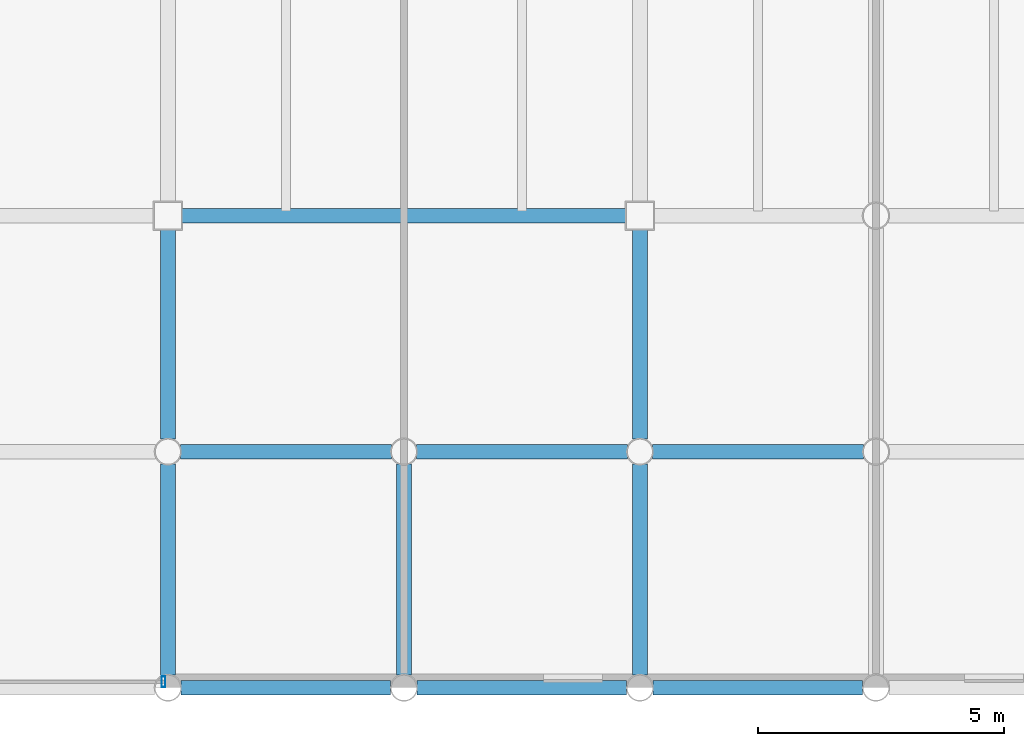
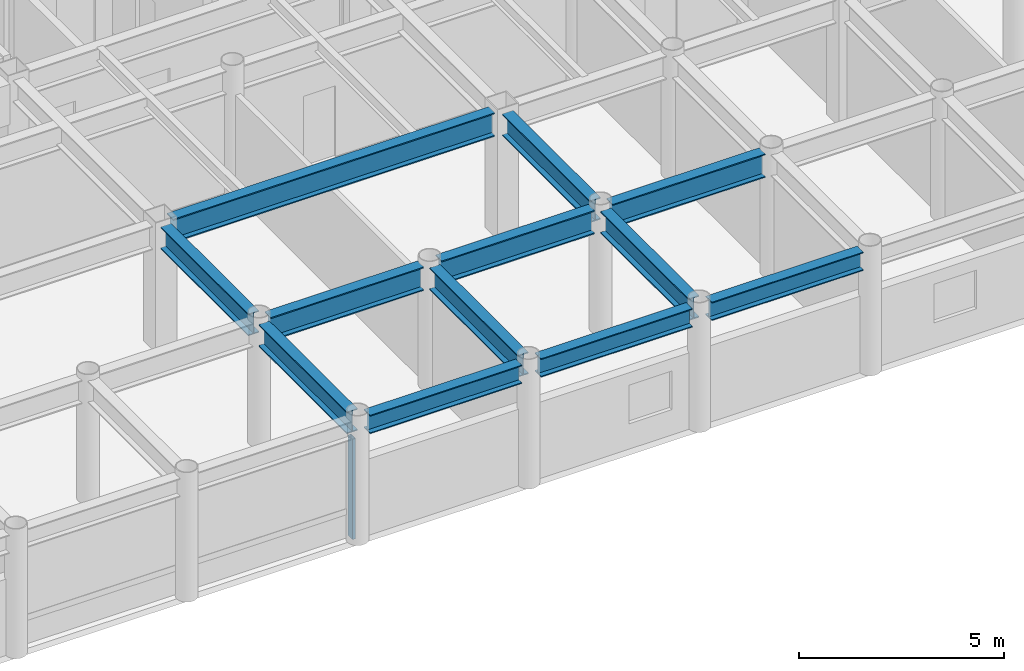
# One storey, part 8 of 21: 12 beams, 1 member, 1 element without a shape of its own.
"""IFC4 building model written with IfcOpenShell, lengths in metres."""

from ifc_helpers import new_model, si_unit, direction, frame, origin, origin_2d, place, context, subcontext, project, spatial, hollow_rectangle, i_section, extrude, material, layer, layer_set, material_profile, profile_set, type_object, element, aggregate, save


model = new_model("IFC4")

# Units and contexts
model_context = context("Model", 3, precision=1e-05, world=origin(), true_north=direction((0.0, 1.0)))
body_context = subcontext(model_context, "Body", "Model", "MODEL_VIEW")
ifc_project = project(units=[si_unit("LENGTHUNIT", "METRE"), si_unit("AREAUNIT", "SQUARE_METRE"), si_unit("VOLUMEUNIT", "CUBIC_METRE"), si_unit("PLANEANGLEUNIT", "RADIAN"), si_unit("MASSUNIT", "GRAM", prefix="KILO")], contexts=[model_context])

# Site, building, storey
site_placement = place(None, origin())
site = spatial("IfcSite", under=ifc_project, at=site_placement, CompositionType="ELEMENT")
building_placement = place(site_placement, origin())
building = spatial("IfcBuilding", under=site, at=building_placement, Name="Kallvorn Hotel Tower", CompositionType="ELEMENT")
storey_placement = place(building_placement, frame((0.0, 0.0, 214.60009765625)))
storey = spatial("IfcBuildingStorey", under=building, at=storey_placement, Name="L53", CompositionType="ELEMENT", Elevation=214.60009765625)

# Beams
ifc_material_1 = material(Name="Structural steel S355JR", Category="steel")
ifc_material_profile_1 = material_profile(ifc_material_1, i_section(OverallWidth=0.300048828125, OverallDepth=0.550048828125, WebThickness=0.014892578125, FlangeThickness=0.029052734375, at=origin_2d()), Name="HE 550 B")
ifc_profile_set_1 = profile_set([ifc_material_profile_1], Name="Structural steel S355JR")
beam_type_1 = type_object("IfcBeamType", Name="BM_HE550B", PredefinedType="SPANDREL", material=ifc_profile_set_1)
beam_1_placement = place(storey_placement, frame((5.069580078125, -24.0, 3.39501953125), z_axis=(1.0, 0.0, 0.0), x_axis=(0.0, 1.0, 0.0)))
element("IfcBeam", 1, at=beam_1_placement, inside=storey, type_object=beam_type_1, Name="L54 Perimeter Spandrel 157", PredefinedType="SPANDREL", context=body_context, shape_type="SweptSolid", body=[
    extrude(i_section(OverallWidth=0.300048828125, OverallDepth=0.550048828125, WebThickness=0.014892578125, FlangeThickness=0.029052734375, at=origin_2d()), origin(), (0.0, 0.0, 1.0), 4.260986328125),
])
beam_2_placement = place(storey_placement, frame((9.869384765625, -24.0, 3.39501953125), z_axis=(1.0, 0.0, 0.0), x_axis=(0.0, 1.0, 0.0)))
element("IfcBeam", 2, at=beam_2_placement, inside=storey, type_object=beam_type_1, Name="L54 Perimeter Spandrel 158", PredefinedType="SPANDREL", context=body_context, shape_type="SweptSolid", body=[
    extrude(i_section(OverallWidth=0.300048828125, OverallDepth=0.550048828125, WebThickness=0.014892578125, FlangeThickness=0.029052734375, at=origin_2d()), origin(), (0.0, 0.0, 1.0), 4.26123046875),
])
beam_3_placement = place(storey_placement, frame((14.66943359375, -24.0, 3.39501953125), z_axis=(1.0, 0.0, 0.0), x_axis=(0.0, 1.0, 0.0)))
element("IfcBeam", 3, at=beam_3_placement, inside=storey, type_object=beam_type_1, Name="L54 Perimeter Spandrel 159", PredefinedType="SPANDREL", context=body_context, shape_type="SweptSolid", body=[
    extrude(i_section(OverallWidth=0.300048828125, OverallDepth=0.550048828125, WebThickness=0.014892578125, FlangeThickness=0.029052734375, at=origin_2d()), origin(), (0.0, 0.0, 1.0), 4.260986328125),
])
ifc_material_2 = material(Name="Structural steel S355JR", Category="steel")
ifc_material_profile_2 = material_profile(ifc_material_2, i_section(OverallWidth=0.300048828125, OverallDepth=0.64990234375, WebThickness=0.01611328125, FlangeThickness=0.031005859375, at=origin_2d()), Name="HE 650 B")
ifc_profile_set_2 = profile_set([ifc_material_profile_2], Name="Structural steel S355JR")
beam_type_2 = type_object("IfcBeamType", Name="BM_HE650B", PredefinedType="BEAM", material=ifc_profile_set_2)
beam_4_placement = place(storey_placement, frame((4.800048828125, -23.74560546875, 3.344970703125), z_axis=(0.0, 1.0, 0.0), x_axis=(-1.0, 0.0, 0.0)))
element("IfcBeam", 4, at=beam_4_placement, inside=storey, type_object=beam_type_2, Name="L54 Primary Y-Girder 113", PredefinedType="BEAM", context=body_context, shape_type="SweptSolid", body=[
    extrude(i_section(OverallWidth=0.300048828125, OverallDepth=0.64990234375, WebThickness=0.01611328125, FlangeThickness=0.031005859375, at=origin_2d()), origin(), (0.0, 0.0, 1.0), 4.291015625),
])
beam_5_placement = place(storey_placement, frame((4.800048828125, -18.945556640625, 3.344970703125), z_axis=(0.0, 1.0, 0.0), x_axis=(-1.0, 0.0, 0.0)))
element("IfcBeam", 5, at=beam_5_placement, inside=storey, type_object=beam_type_2, Name="L54 Primary Y-Girder 114", PredefinedType="BEAM", context=body_context, shape_type="SweptSolid", body=[
    extrude(i_section(OverallWidth=0.300048828125, OverallDepth=0.64990234375, WebThickness=0.01611328125, FlangeThickness=0.031005859375, at=origin_2d()), origin(), (0.0, 0.0, 1.0), 4.2705078125),
])
for number, where, z_axis, x_axis, name in (
    (6, (9.60009765625, -23.74560546875, 3.344970703125), (0.0, 1.0, 0.0), (-1.0, 0.0, 0.0), "L54 Primary Y-Girder 118"),
    (7, (14.39990234375, -23.74560546875, 3.344970703125), (0.0, 1.0, 0.0), (-1.0, 0.0, 0.0), "L54 Primary Y-Girder 121"),
):
    element("IfcBeam", number, at=place(storey_placement, frame(where, z_axis=z_axis, x_axis=x_axis)), inside=storey, type_object=beam_type_2, Name=name, PredefinedType="BEAM", context=body_context, shape_type="SweptSolid", body=[
        extrude(i_section(OverallWidth=0.300048828125, OverallDepth=0.64990234375, WebThickness=0.01611328125, FlangeThickness=0.031005859375, at=origin_2d()), origin(), (0.0, 0.0, 1.0), 4.291015625),
    ])
beam_6_placement = place(storey_placement, frame((14.39990234375, -18.945556640625, 3.344970703125), z_axis=(0.0, 1.0, 0.0), x_axis=(-1.0, 0.0, 0.0)))
element("IfcBeam", 8, at=beam_6_placement, inside=storey, type_object=beam_type_2, Name="L54 Primary Y-Girder 122", PredefinedType="BEAM", context=body_context, shape_type="SweptSolid", body=[
    extrude(i_section(OverallWidth=0.300048828125, OverallDepth=0.64990234375, WebThickness=0.01611328125, FlangeThickness=0.031005859375, at=origin_2d()), origin(), (0.0, 0.0, 1.0), 4.2705078125),
])
ifc_material_3 = material(Name="Structural steel S355JR", Category="steel")
ifc_material_profile_3 = material_profile(ifc_material_3, i_section(OverallWidth=0.300048828125, OverallDepth=0.699951171875, WebThickness=0.01708984375, FlangeThickness=0.031982421875, at=origin_2d()), Name="HE 700 B")
ifc_profile_set_3 = profile_set([ifc_material_profile_3], Name="Structural steel S355JR")
beam_type_3 = type_object("IfcBeamType", Name="BM_HE700B", PredefinedType="BEAM", material=ifc_profile_set_3)
for number, where, z_axis, x_axis, name in (
    (9, (5.054443359375, -19.199951171875, 3.31982421875), (1.0, 0.0, 0.0), (0.0, 1.0, 0.0), "L54 Primary X-Girder 08"),
    (10, (9.8544921875, -19.199951171875, 3.31982421875), (1.0, 0.0, 0.0), (0.0, 1.0, 0.0), "L54 Primary X-Girder 09"),
    (11, (14.654541015625, -19.199951171875, 3.31982421875), (1.0, 0.0, 0.0), (0.0, 1.0, 0.0), "L54 Primary X-Girder 10"),
):
    element("IfcBeam", number, at=place(storey_placement, frame(where, z_axis=z_axis, x_axis=x_axis)), inside=storey, type_object=beam_type_3, Name=name, PredefinedType="BEAM", context=body_context, shape_type="SweptSolid", body=[
        extrude(i_section(OverallWidth=0.300048828125, OverallDepth=0.699951171875, WebThickness=0.01708984375, FlangeThickness=0.031982421875, at=origin_2d()), origin(), (0.0, 0.0, 1.0), 4.291015625),
    ])
beam_7_placement = place(storey_placement, frame((5.074951171875, -14.39990234375, 3.31982421875), z_axis=(1.0, 0.0, 0.0), x_axis=(0.0, 1.0, 0.0)))
element("IfcBeam", 12, at=beam_7_placement, inside=storey, type_object=beam_type_3, Name="L54 Primary X-Girder 19", PredefinedType="BEAM", context=body_context, shape_type="SweptSolid", body=[
    extrude(i_section(OverallWidth=0.300048828125, OverallDepth=0.699951171875, WebThickness=0.01708984375, FlangeThickness=0.031982421875, at=origin_2d()), origin(), (0.0, 0.0, 1.0), 9.050048828125),
])

# Curtain wall, member
ifc_material_4 = material(Name="Thermally broken black-anodised aluminium AA 6063-T6", Category="aluminium")
ifc_layer = layer(ifc_material_4, 0.22998046875)
ifc_layer_set = layer_set([ifc_layer], Name="CW_SYS_5_HOTEL_HIGH")
curtain_wall_type = type_object("IfcCurtainWallType", Name="CW_SYS_5_HOTEL_HIGH", PredefinedType="USERDEFINED", material=ifc_layer_set)
curtain_wall_placement = place(storey_placement, origin())
curtain_wall = element("IfcCurtainWall", 13, at=curtain_wall_placement, inside=storey, type_object=curtain_wall_type, Name="L53 Dark-Glass Curtain Wall CW-L53-SC", ObjectType="UNITISED CURTAIN WALL", PredefinedType="USERDEFINED")
ifc_material_5 = material(Name="Thermally broken black-anodised aluminium AA 6063-T6", Category="aluminium")
ifc_material_profile_4 = material_profile(ifc_material_5, hollow_rectangle(XDim=0.080078125, YDim=0.219970703125, WallThickness=0.0048828125, at=origin_2d()), Name="MUL 220x80")
ifc_profile_set_4 = profile_set([ifc_material_profile_4], Name="Thermally broken black-anodised aluminium AA 6063-T6")
member_type = type_object("IfcMemberType", Name="CW_MULLION_220x80", PredefinedType="MULLION", material=ifc_profile_set_4)
member_placement = place(storey_placement, frame((4.7099609375, -23.8798828125, 0.02001953125), z_axis=(0.0, 0.0, 1.0), x_axis=(1.0, 0.0, 0.0)))
member = element("IfcMember", 14, at=member_placement, type_object=member_type, Name="CW-L53-SC Mullion 02", PredefinedType="MULLION", context=body_context, shape_type="SweptSolid", body=[
    extrude(hollow_rectangle(XDim=0.080078125, YDim=0.219970703125, WallThickness=0.0048828125, at=origin_2d()), origin(), (0.0, 0.0, 1.0), 2.97998046875),
])
aggregate(curtain_wall, [member])

save(model, "model.ifc")
